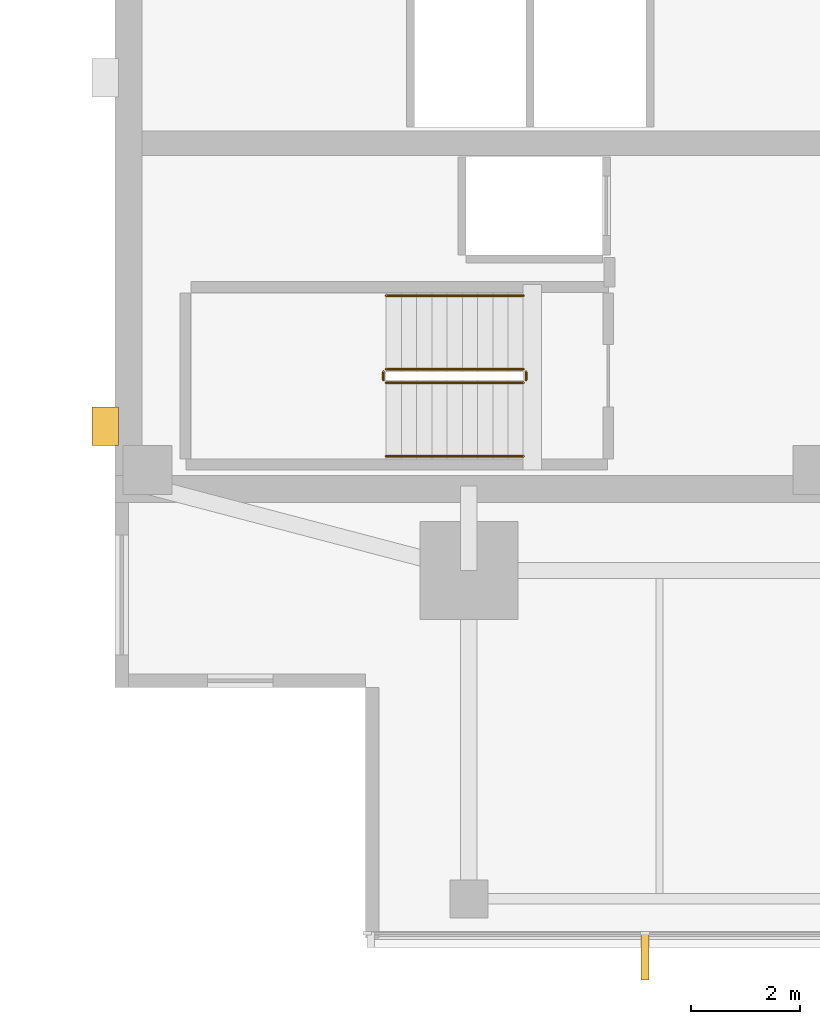
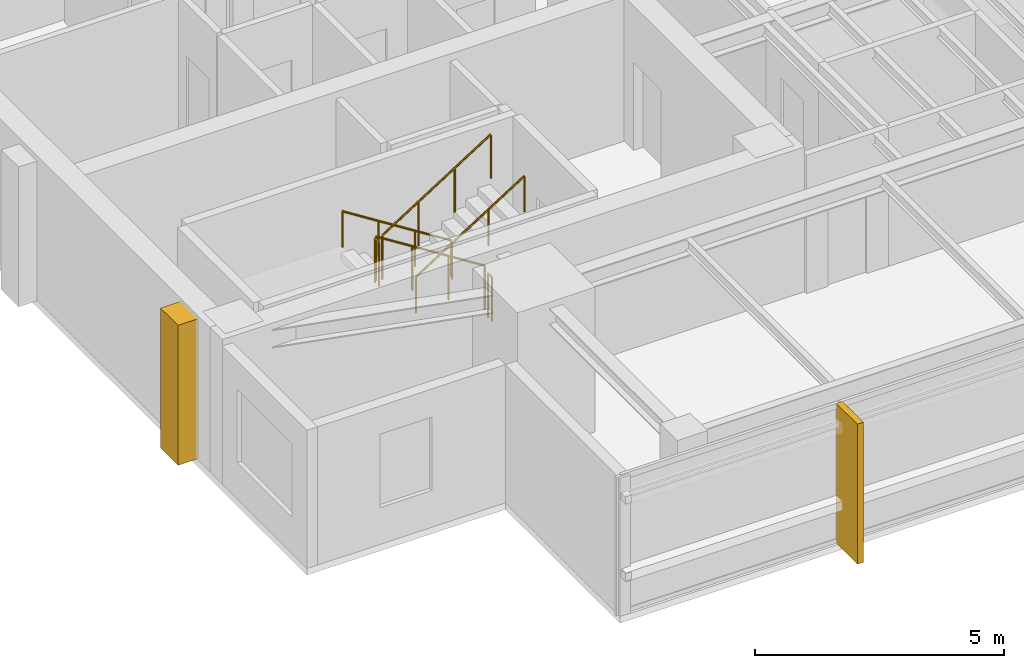
# One storey, part 11 of 14: 6 railings, 2 coverings.
"""IFC4 building model written with IfcOpenShell, lengths in metres."""

from ifc_helpers import new_model, si_unit, direction, frame, origin, origin_2d, place, context, subcontext, project, spatial, polyline, circle, outline, extrude, material, layer, layer_set, type_object, element, save


model = new_model("IFC4")

# Units and contexts
model_context = context("Model", 3, precision=1e-05, world=origin(), true_north=direction((0.0, 1.0)))
body_context = subcontext(model_context, "Body", "Model", "MODEL_VIEW")
ifc_project = project(units=[si_unit("LENGTHUNIT", "METRE"), si_unit("AREAUNIT", "SQUARE_METRE"), si_unit("VOLUMEUNIT", "CUBIC_METRE"), si_unit("PLANEANGLEUNIT", "RADIAN"), si_unit("MASSUNIT", "GRAM", prefix="KILO")], contexts=[model_context])

# Site, building, storey
site_placement = place(None, origin())
site = spatial("IfcSite", under=ifc_project, at=site_placement, CompositionType="ELEMENT")
building_placement = place(site_placement, origin())
building = spatial("IfcBuilding", under=site, at=building_placement, Name="Kinhvarn Gate Tower", CompositionType="ELEMENT")
storey_placement = place(building_placement, frame((0.0, 0.0, 259.89990234375)))
storey = spatial("IfcBuildingStorey", under=building, at=storey_placement, Name="L69", CompositionType="ELEMENT", Elevation=259.89990234375)

# Coverings
ifc_material_1 = material(Name="Fired architectural terracotta", Category="masonry")
ifc_layer_1 = layer(ifc_material_1, 0.139892578125)
ifc_layer_set_1 = layer_set([ifc_layer_1], Name="Fired architectural terracotta")
covering_type_1 = type_object("IfcCoveringType", Name="COV-FIN-850", PredefinedType="CLADDING", material=ifc_layer_set_1)
covering_1_placement = place(storey_placement, frame((0.0, 0.0, -0.02001953125)))
element("IfcCovering", 1, at=covering_1_placement, inside=storey, type_object=covering_type_1, Name="Vertical Terracotta Expressive Fin TFN-850 (L69)", PredefinedType="CLADDING", context=body_context, shape_type="SweptSolid", body=[
    extrude(outline(polyline([(14.163330078125, 6.080078125), (14.30322265625, 6.080078125), (14.30322265625, 5.22998046875), (14.163330078125, 5.22998046875), (14.163330078125, 6.080078125)])), origin(), (0.0, 0.0, 1.0), 3.43017578125),
])
ifc_material_2 = material(Name="Precast white architectural concrete C40/50", Category="concrete")
ifc_layer_2 = layer(ifc_material_2, 0.47998046875)
ifc_layer_set_2 = layer_set([ifc_layer_2], Name="Precast white architectural concrete C40/50")
covering_type_2 = type_object("IfcCoveringType", Name="COV-RIB-450", PredefinedType="CLADDING", material=ifc_layer_set_2)
covering_2_placement = place(storey_placement, frame((0.0, 0.0, -0.02001953125)))
element("IfcCovering", 2, at=covering_2_placement, inside=storey, type_object=covering_type_2, Name="West Core Sculptural Concrete Relief Rib CRB-450 (L69)", PredefinedType="CLADDING", context=body_context, shape_type="SweptSolid", body=[
    extrude(outline(polyline([(4.080078125, 15.050048828125), (4.56005859375, 15.050048828125), (4.56005859375, 15.75), (4.080078125, 15.75), (4.080078125, 15.050048828125)])), origin(), (0.0, 0.0, 1.0), 3.43017578125),
])

# Railings
ifc_material_3 = material(Name="Steel S355", Category="steel")
railing_type_1 = type_object("IfcRailingType", Name="RL-ST-GRD", PredefinedType="BALUSTRADE", material=ifc_material_3)
railing_1_placement = place(storey_placement, frame((12.0, 16.449951171875, 0.177490234375)))
element("IfcRailing", 3, at=railing_1_placement, inside=storey, type_object=railing_type_1, Name="L69 ST1 stair guard 1", PredefinedType="BALUSTRADE", context=body_context, shape_type="SweptSolid", body=[
    extrude(circle(Radius=0.02392578125, at=origin_2d()), frame((0.0, 0.0, 1.076171875), z_axis=(-0.84456994832, 0.0, 0.535445237532), x_axis=(0.0, -1.0, 0.0)), (0.0, 0.0, 1.0), 2.98388671875),
    extrude(circle(Radius=0.02099609375, at=origin_2d()), origin(), (0.0, 0.0, 1.0), 1.052001953125),
    extrude(circle(Radius=0.02099609375, at=origin_2d()), frame((-0.840087890625, 0.0, 0.532470703125)), (0.0, 0.0, 1.0), 1.052001953125),
    extrude(circle(Radius=0.02099609375, at=origin_2d()), frame((-1.679931640625, 0.0, 1.065185546875)), (0.0, 0.0, 1.0), 1.052001953125),
    extrude(circle(Radius=0.02099609375, at=origin_2d()), frame((-2.52001953125, 0.0, 1.59765625)), (0.0, 0.0, 1.0), 1.052001953125),
])
railing_2_placement = place(storey_placement, frame((9.429931640625, 16.39990234375, 1.775146484375)))
element("IfcRailing", 4, at=railing_2_placement, inside=storey, type_object=railing_type_1, Name="L69 ST1 stair guard 2", PredefinedType="BALUSTRADE", context=body_context, shape_type="SweptSolid", body=[
    extrude(circle(Radius=0.02392578125, at=origin_2d()), frame((0.0, 0.0, 1.076171875), z_axis=(0.0, -1.0, 0.0), x_axis=(1.0, 0.0, 0.0)), (0.0, 0.0, 1.0), 0.14990234375),
    extrude(circle(Radius=0.02099609375, at=origin_2d()), origin(), (0.0, 0.0, 1.0), 1.052001953125),
    extrude(circle(Radius=0.02099609375, at=origin_2d()), frame((0.0, -0.14990234375, 0.0)), (0.0, 0.0, 1.0), 1.052001953125),
])
railing_3_placement = place(storey_placement, frame((9.47998046875, 16.199951171875, 1.95263671875)))
element("IfcRailing", 5, at=railing_3_placement, inside=storey, type_object=railing_type_1, Name="L69 ST1 stair guard 3", PredefinedType="BALUSTRADE", context=body_context, shape_type="SweptSolid", body=[
    extrude(circle(Radius=0.02392578125, at=origin_2d()), frame((0.0, 0.0, 1.076171875), z_axis=(0.84460694969, 0.0, 0.535386869969), x_axis=(0.0, 1.0, 0.0)), (0.0, 0.0, 1.0), 2.983642578125),
    extrude(circle(Radius=0.02099609375, at=origin_2d()), origin(), (0.0, 0.0, 1.0), 1.052001953125),
    extrude(circle(Radius=0.02099609375, at=origin_2d()), frame((0.840087890625, 0.0, 0.532470703125)), (0.0, 0.0, 1.0), 1.052001953125),
    extrude(circle(Radius=0.02099609375, at=origin_2d()), frame((1.679931640625, 0.0, 1.06494140625)), (0.0, 0.0, 1.0), 1.052001953125),
    extrude(circle(Radius=0.02099609375, at=origin_2d()), frame((2.52001953125, 0.0, 1.597412109375)), (0.0, 0.0, 1.0), 1.052001953125),
])
railing_4_placement = place(storey_placement, frame((12.050048828125, 16.39990234375, 0.0)))
element("IfcRailing", 6, at=railing_4_placement, inside=storey, type_object=railing_type_1, Name="L69 ST1 stair guard 4", PredefinedType="BALUSTRADE", context=body_context, shape_type="SweptSolid", body=[
    extrude(circle(Radius=0.02392578125, at=origin_2d()), frame((0.0, 0.0, 1.076171875), z_axis=(0.0, -1.0, 0.0), x_axis=(1.0, 0.0, 0.0)), (0.0, 0.0, 1.0), 0.14990234375),
    extrude(circle(Radius=0.02099609375, at=origin_2d()), origin(), (0.0, 0.0, 1.0), 1.052001953125),
    extrude(circle(Radius=0.02099609375, at=origin_2d()), frame((0.0, -0.14990234375, 0.0)), (0.0, 0.0, 1.0), 1.052001953125),
])
railing_type_2 = type_object("IfcRailingType", Name="RL-ST-HND", PredefinedType="HANDRAIL", material=ifc_material_3)
railing_5_placement = place(storey_placement, frame((12.0, 17.800048828125, 0.177490234375)))
element("IfcRailing", 7, at=railing_5_placement, inside=storey, type_object=railing_type_2, Name="L69 ST1 stair handrail 1", PredefinedType="HANDRAIL", context=body_context, shape_type="SweptSolid", body=[
    extrude(circle(Radius=0.02392578125, at=origin_2d()), frame((0.0, 0.0, 0.8759765625), z_axis=(-0.84456994832, 0.0, 0.535445237532), x_axis=(0.0, -1.0, 0.0)), (0.0, 0.0, 1.0), 2.98388671875),
    extrude(circle(Radius=0.02099609375, at=origin_2d()), origin(), (0.0, 0.0, 1.0), 0.851806640625),
    extrude(circle(Radius=0.02099609375, at=origin_2d()), frame((-0.840087890625, 0.0, 0.532470703125)), (0.0, 0.0, 1.0), 0.851806640625),
    extrude(circle(Radius=0.02099609375, at=origin_2d()), frame((-1.679931640625, 0.0, 1.065185546875)), (0.0, 0.0, 1.0), 0.851806640625),
    extrude(circle(Radius=0.02099609375, at=origin_2d()), frame((-2.52001953125, 0.0, 1.59765625)), (0.0, 0.0, 1.0), 0.851806640625),
])
railing_6_placement = place(storey_placement, frame((9.47998046875, 14.85009765625, 1.95263671875)))
element("IfcRailing", 8, at=railing_6_placement, inside=storey, type_object=railing_type_2, Name="L69 ST1 stair handrail 2", PredefinedType="HANDRAIL", context=body_context, shape_type="SweptSolid", body=[
    extrude(circle(Radius=0.02392578125, at=origin_2d()), frame((0.0, 0.0, 0.8759765625), z_axis=(0.84460694969, 0.0, 0.535386869969), x_axis=(0.0, 1.0, 0.0)), (0.0, 0.0, 1.0), 2.983642578125),
    extrude(circle(Radius=0.02099609375, at=origin_2d()), origin(), (0.0, 0.0, 1.0), 0.851806640625),
    extrude(circle(Radius=0.02099609375, at=origin_2d()), frame((0.840087890625, 0.0, 0.532470703125)), (0.0, 0.0, 1.0), 0.851806640625),
    extrude(circle(Radius=0.02099609375, at=origin_2d()), frame((1.679931640625, 0.0, 1.06494140625)), (0.0, 0.0, 1.0), 0.851806640625),
    extrude(circle(Radius=0.02099609375, at=origin_2d()), frame((2.52001953125, 0.0, 1.597412109375)), (0.0, 0.0, 1.0), 0.851806640625),
])

save(model, "model.ifc")
